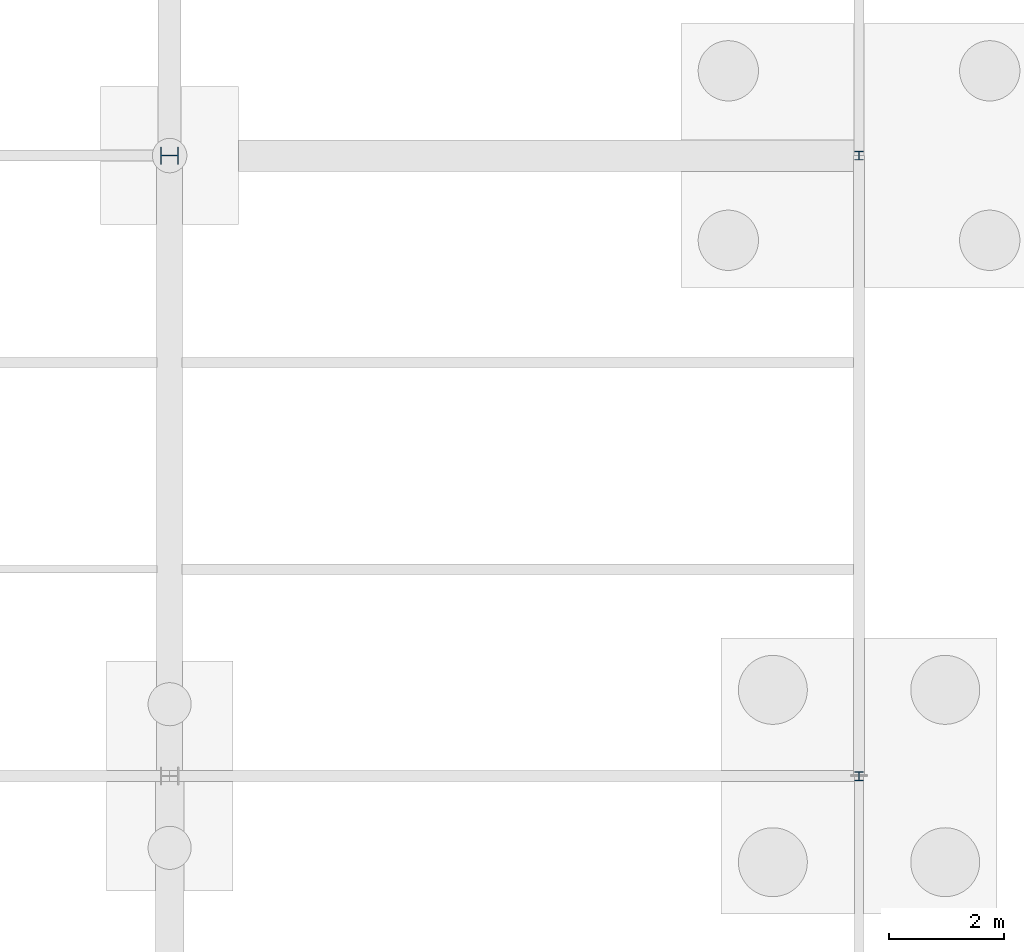
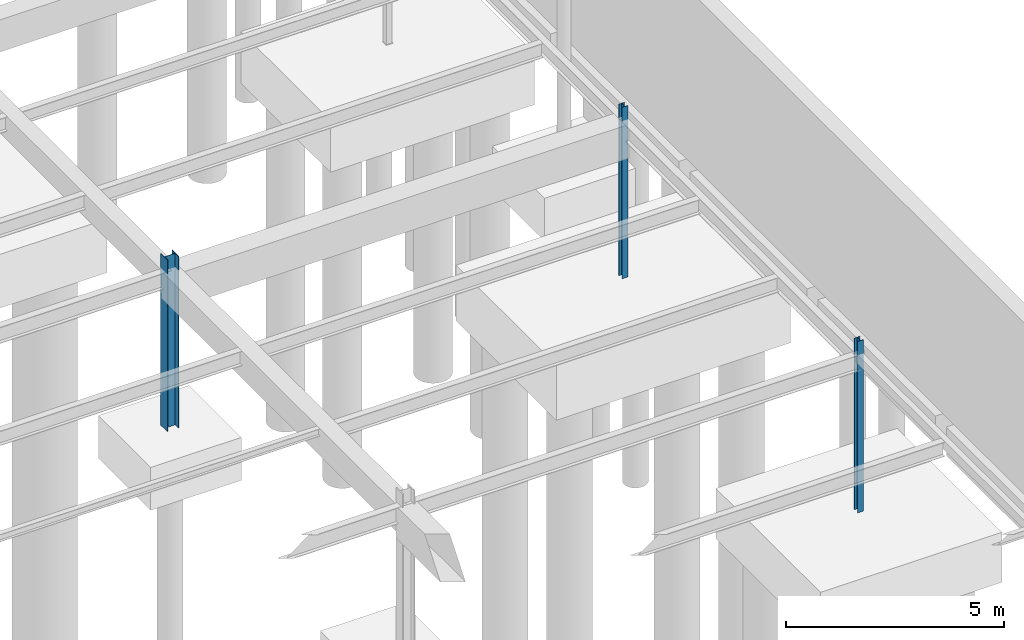
# One storey, part 67 of 136: 3 columns.
"""IFC4 building model written with IfcOpenShell, lengths in metres."""

import ifcopenshell
import ifcopenshell.guid

model = None  # the IFC model being written
_history = None  # IfcOwnerHistory: only IFC2X3 demands one
_inside = {}  # id of a spatial element -> (the spatial element, [elements in it])
_under = {}  # id of a project, library or spatial element -> (it, [spatial elements below it])
_declared = {}  # id of a project -> (the project, [libraries it declares])
_typed = {}  # id of a type object -> (the type object, [elements of that type])
_made_of = {}  # id of a material, layer set ... -> (it, [elements and type objects made of it])


def new_model(schema):
    """Start an empty IFC model of exactly this schema.

    Asked for "IFC4X3", IfcOpenShell would pick the latest addendum, in which some entities
    have other attributes; the version numbers below select the first issue.
    IFC2X3 requires an IfcOwnerHistory on every rooted entity: one is made here for all.
    """
    global model, _history
    if schema == "IFC4X3":
        model = ifcopenshell.file(schema_version=(4, 3, 0, 0))
    else:
        model = ifcopenshell.file(schema=schema)
    _inside.clear()
    _under.clear()
    _declared.clear()
    _typed.clear()
    _made_of.clear()
    _history = None
    if model.schema == "IFC2X3":
        org = make("IfcOrganization", Name="unknown")
        user = make(
            "IfcPersonAndOrganization",
            ThePerson=make("IfcPerson", FamilyName="unknown"),
            TheOrganization=org,
        )
        app = make(
            "IfcApplication",
            ApplicationDeveloper=org,
            Version="unknown",
            ApplicationFullName="unknown",
            ApplicationIdentifier="unknown",
        )
        _history = make(
            "IfcOwnerHistory",
            OwningUser=user,
            OwningApplication=app,
            ChangeAction="ADDED",
            CreationDate=0,
        )
    return model


def make(cls, **values):
    """One entity of the class cls with the attributes given. An attribute that is None is left unset."""
    return model.create_entity(
        cls, **{name: value for name, value in values.items() if value is not None}
    )


def rooted(cls, **values):
    """An entity with a GlobalId (a new one), such as an element, a storey or a relation."""
    return make(cls, GlobalId=ifcopenshell.guid.new(), OwnerHistory=_history, **values)


def si_unit(unit_type, name, prefix=None):
    """IfcSIUnit, for example si_unit("LENGTHUNIT", "METRE", prefix="MILLI")."""
    return make("IfcSIUnit", UnitType=unit_type, Prefix=prefix, Name=name)


def assignment(units):
    """IfcUnitAssignment: the units of a project."""
    return None if units is None else make("IfcUnitAssignment", Units=units)


def point(xyz):
    """IfcCartesianPoint."""
    return None if xyz is None else make("IfcCartesianPoint", Coordinates=xyz)


def direction(xyz):
    """IfcDirection."""
    return None if xyz is None else make("IfcDirection", DirectionRatios=xyz)


def frame(location, z_axis=None, x_axis=None):
    """IfcAxis2Placement3D, a coordinate frame: its origin and axes. An axis left out is left unset."""
    return make(
        "IfcAxis2Placement3D",
        Location=point(location),
        Axis=direction(z_axis),
        RefDirection=direction(x_axis),
    )


def frame_2d(location, x_axis=None):
    """IfcAxis2Placement2D, a coordinate frame in the plane: its origin and x axis."""
    return make(
        "IfcAxis2Placement2D", Location=point(location), RefDirection=direction(x_axis)
    )


def origin():
    """The frame at (0, 0, 0) with its axes left unset."""
    return frame((0.0, 0.0, 0.0))


def origin_2d():
    """The frame at (0, 0) in the plane with its x axis left unset."""
    return frame_2d((0.0, 0.0))


def place(relative_to, where):
    """IfcLocalPlacement: puts the frame where relative to a parent placement (None: the world)."""
    return make(
        "IfcLocalPlacement", PlacementRelTo=relative_to, RelativePlacement=where
    )


def context(
    kind, dimensions, precision=None, world=None, true_north=None, identifier=None
):
    """IfcGeometricRepresentationContext, for example the 3D "Model" context."""
    return make(
        "IfcGeometricRepresentationContext",
        ContextIdentifier=identifier,
        ContextType=kind,
        CoordinateSpaceDimension=dimensions,
        Precision=precision,
        WorldCoordinateSystem=world,
        TrueNorth=true_north,
    )


def subcontext(parent, identifier, kind, view, scale=None):
    """IfcGeometricRepresentationSubContext, for example "Body" below "Model"."""
    return make(
        "IfcGeometricRepresentationSubContext",
        ContextIdentifier=identifier,
        ContextType=kind,
        ParentContext=parent,
        TargetScale=scale,
        TargetView=view,
    )


def project(units=None, contexts=None):
    """IfcProject with its units and contexts."""
    return rooted(
        "IfcProject",
        Name="project",
        RepresentationContexts=contexts,
        UnitsInContext=assignment(units),
    )


def spatial(cls, under=None, at=None, **own):
    """A site, building, storey or space (cls), placed at a placement, below another one or the project."""
    s = rooted(cls, ObjectPlacement=at, **own)
    if under is not None:
        _under.setdefault(under.id(), (under, []))[1].append(s)
    return s


def profile(cls, at=None, kind="AREA", **sizes):
    """A parametric profile (cls). Its sizes go by their IFC names, for example OverallWidth=200.0."""
    return make(cls, ProfileType=kind, Position=at, **sizes)


def i_section(**sizes):
    """IfcIShapeProfileDef."""
    return profile("IfcIShapeProfileDef", **sizes)


def extrude(swept, where, along, depth):
    """IfcExtrudedAreaSolid: the profile swept, set in the frame where, extruded along a direction by depth."""
    return make(
        "IfcExtrudedAreaSolid",
        SweptArea=swept,
        Position=where,
        ExtrudedDirection=direction(along),
        Depth=depth,
    )


def shape(context_of_items, identifier, shape_type, items):
    """IfcShapeRepresentation: the items that make up one representation, for example the "Body"."""
    return make(
        "IfcShapeRepresentation",
        ContextOfItems=context_of_items,
        RepresentationIdentifier=identifier,
        RepresentationType=shape_type,
        Items=items,
    )


def material(Name=None, Category=None):
    """IfcMaterial."""
    return make("IfcMaterial", Name=Name, Category=Category)


def material_profile(
    of_material, cross_section, Name=None, Category=None, Priority=None
):
    """IfcMaterialProfile: a cross section and its material."""
    return make(
        "IfcMaterialProfile",
        Name=Name,
        Material=of_material,
        Profile=cross_section,
        Priority=Priority,
        Category=Category,
    )


def profile_set(profiles, Name=None, composite=None):
    """IfcMaterialProfileSet."""
    return make(
        "IfcMaterialProfileSet",
        Name=Name,
        MaterialProfiles=profiles,
        CompositeProfile=composite,
    )


def made_of(thing, what):
    """Note that an element or type object is made of a material, layer set ...; save() writes the relation."""
    if what is not None:
        _made_of.setdefault(what.id(), (what, []))[1].append(thing)
    return thing


def type_object(cls, material=None, **own):
    """A type object (cls), such as IfcWallType, which elements share."""
    return made_of(rooted(cls, **own), material)


def element(
    cls,
    number,
    at=None,
    inside=None,
    cuts=None,
    type_object=None,
    material=None,
    context=None,
    identifier="Body",
    shape_type=None,
    held_by="IfcProductDefinitionShape",
    body=None,
    shapes=None,
    **own,
):
    """One element of the class cls, such as IfcWall. Its Tag is "e" and its number.

    at: its placement. inside: the storey or other place that contains it. cuts: it is an
    opening in that element (IfcRelVoidsElement). A single representation is given by context,
    identifier, shape_type and body (its items); several are given by shapes. held_by: the class
    of the entity that holds the representations. save() writes the other relations.
    """
    e = rooted(cls, Tag="e%d" % number, ObjectPlacement=at, **own)
    if body is not None:
        shapes = [shape(context, identifier, shape_type, body)]
    if shapes is not None:
        e.Representation = make(held_by, Representations=shapes)
    if inside is not None:
        _inside.setdefault(inside.id(), (inside, []))[1].append(e)
    if cuts is not None:
        rooted(
            "IfcRelVoidsElement", RelatingBuildingElement=cuts, RelatedOpeningElement=e
        )
    if type_object is not None:
        _typed.setdefault(type_object.id(), (type_object, []))[1].append(e)
    return made_of(e, material)


def aggregate(whole, parts):
    """IfcRelAggregates: a whole, such as a stair, and the parts it consists of."""
    return rooted("IfcRelAggregates", RelatingObject=whole, RelatedObjects=parts)


def save(model, path):
    """Write the relations noted so far, then the file.

    IfcRelAggregates (storeys below a building ...), IfcRelContainedInSpatialStructure (elements
    in a storey), IfcRelDefinesByType, IfcRelAssociatesMaterial and IfcRelDeclares: one each for
    every whole, place, type object, material and project.
    """
    for whole, parts in _under.values():
        aggregate(whole, parts)
    for where, things in _inside.values():
        rooted(
            "IfcRelContainedInSpatialStructure",
            RelatedElements=things,
            RelatingStructure=where,
        )
    for kind, things in _typed.values():
        rooted("IfcRelDefinesByType", RelatedObjects=things, RelatingType=kind)
    for what, things in _made_of.values():
        rooted("IfcRelAssociatesMaterial", RelatedObjects=things, RelatingMaterial=what)
    for by, libraries in _declared.values():
        rooted("IfcRelDeclares", RelatingContext=by, RelatedDefinitions=libraries)
    model.write(path)


model = new_model("IFC4")

# Units and contexts
model_context = context("Model", 3, precision=1e-05, world=origin(), true_north=direction((0.0, 1.0)))
body_context = subcontext(model_context, "Body", "Model", "MODEL_VIEW")
ifc_project = project(units=[si_unit("LENGTHUNIT", "METRE"), si_unit("AREAUNIT", "SQUARE_METRE"), si_unit("VOLUMEUNIT", "CUBIC_METRE"), si_unit("PLANEANGLEUNIT", "RADIAN"), si_unit("MASSUNIT", "GRAM", prefix="KILO")], contexts=[model_context])

# Site, building, storey
site_placement = place(None, origin())
site = spatial("IfcSite", under=ifc_project, at=site_placement, CompositionType="ELEMENT")
building_placement = place(site_placement, origin())
building = spatial("IfcBuilding", under=site, at=building_placement, Name="Tarnwether General Hospital", CompositionType="ELEMENT")
storey_placement = place(building_placement, frame((0.0, 0.0, -4.800048828125)))
storey = spatial("IfcBuildingStorey", under=building, at=storey_placement, Name="LG", CompositionType="ELEMENT", Elevation=-4.800048828125)

# Columns
ifc_material_1 = material(Name="Steel Grade 350 (350 MPa)", Category="steel")
ifc_material_profile_1 = material_profile(ifc_material_1, i_section(OverallWidth=0.306884765625, OverallDepth=0.31494140625, WebThickness=0.011962890625, FlangeThickness=0.018798828125, at=origin_2d()), Name="310UC118")
ifc_profile_set_1 = profile_set([ifc_material_profile_1], Name="Steel Grade 350 (350 MPa)")
column_type_1 = type_object("IfcColumnType", Name="COL-07", PredefinedType="COLUMN", material=ifc_profile_set_1)
column_1_placement = place(storey_placement, frame((180.0, 104.39990234375, 0.0), z_axis=(0.0, 0.0, 1.0), x_axis=(0.0, 1.0, 0.0)))
element("IfcColumn", 1, at=column_1_placement, inside=storey, type_object=column_type_1, Name="Column COLG-LG-18000_10440", PredefinedType="COLUMN", context=body_context, shape_type="SweptSolid", body=[
    extrude(i_section(OverallWidth=0.306884765625, OverallDepth=0.31494140625, WebThickness=0.011962890625, FlangeThickness=0.018798828125, at=origin_2d()), origin(), (0.0, 0.0, 1.0), 4.800048828125),
])
ifc_material_2 = material(Name="Steel Grade 350 (350 MPa)", Category="steel")
ifc_material_profile_2 = material_profile(ifc_material_2, i_section(OverallWidth=0.153076171875, OverallDepth=0.157958984375, WebThickness=0.006591796875, FlangeThickness=0.009521484375, at=origin_2d()), Name="150UC30.0")
ifc_profile_set_2 = profile_set([ifc_material_profile_2], Name="Steel Grade 350 (350 MPa)")
column_type_2 = type_object("IfcColumnType", Name="COL-31", PredefinedType="COLUMN", material=ifc_profile_set_2)
column_2_placement = place(storey_placement, frame((192.0, 93.60009765625, 0.0), z_axis=(0.0, 0.0, 1.0), x_axis=(1.0, 0.0, 0.0)))
element("IfcColumn", 2, at=column_2_placement, inside=storey, type_object=column_type_2, Name="Column COLG-LG-19200_9360", PredefinedType="COLUMN", context=body_context, shape_type="SweptSolid", body=[
    extrude(i_section(OverallWidth=0.153076171875, OverallDepth=0.157958984375, WebThickness=0.006591796875, FlangeThickness=0.009521484375, at=origin_2d()), origin(), (0.0, 0.0, 1.0), 4.800048828125),
])
ifc_material_3 = material(Name="Steel Grade 350 (350 MPa)", Category="steel")
ifc_material_profile_3 = material_profile(ifc_material_3, i_section(OverallWidth=0.152099609375, OverallDepth=0.152099609375, WebThickness=0.006103515625, FlangeThickness=0.0068359375, at=origin_2d()), Name="150UC23.4")
ifc_profile_set_3 = profile_set([ifc_material_profile_3], Name="Steel Grade 350 (350 MPa)")
column_type_3 = type_object("IfcColumnType", Name="COL-32", PredefinedType="COLUMN", material=ifc_profile_set_3)
column_3_placement = place(storey_placement, frame((192.0, 104.39990234375, 0.0), z_axis=(0.0, 0.0, 1.0), x_axis=(1.0, 0.0, 0.0)))
element("IfcColumn", 3, at=column_3_placement, inside=storey, type_object=column_type_3, Name="Column COLG-LG-19200_10440", PredefinedType="COLUMN", context=body_context, shape_type="SweptSolid", body=[
    extrude(i_section(OverallWidth=0.152099609375, OverallDepth=0.152099609375, WebThickness=0.006103515625, FlangeThickness=0.0068359375, at=origin_2d()), origin(), (0.0, 0.0, 1.0), 4.800048828125),
])

save(model, "model.ifc")
